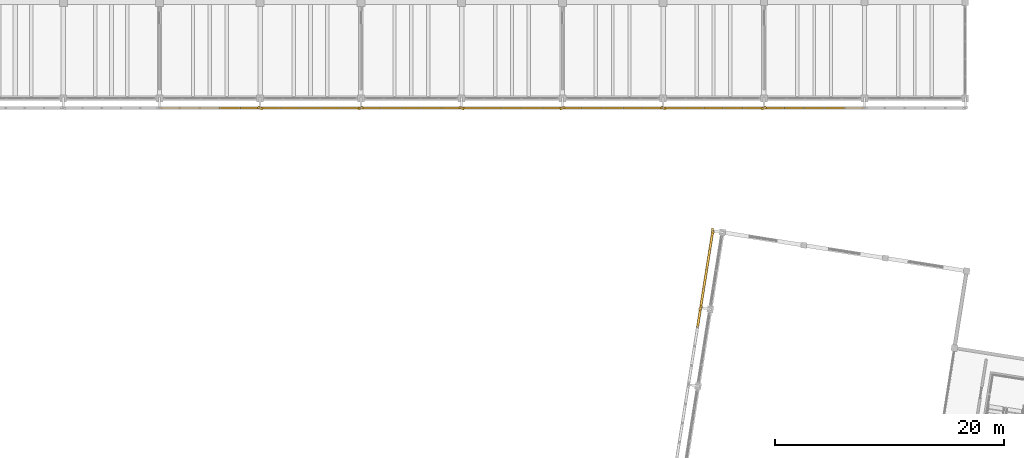
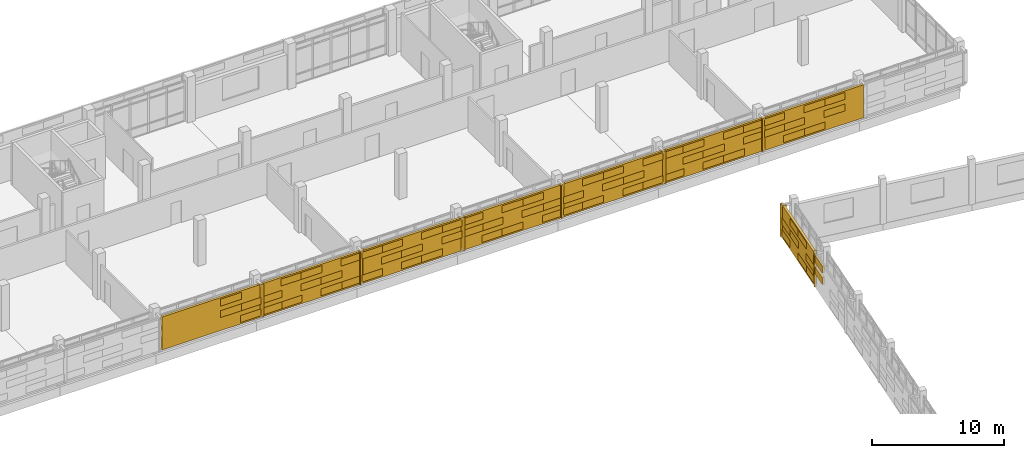
# One storey, part 132 of 137: 80 coverings, 8 shading devices.
"""IFC4 building model written with IfcOpenShell, lengths in metres."""

from ifc_helpers import new_model, si_unit, direction, frame, origin, origin_2d, place, context, subcontext, project, spatial, rectangle, extrude, material, layer, layer_set, type_object, element, save


model = new_model("IFC4")

# Units and contexts
model_context = context("Model", 3, precision=1e-05, world=origin(), true_north=direction((0.0, 1.0)))
body_context = subcontext(model_context, "Body", "Model", "MODEL_VIEW")
ifc_project = project(units=[si_unit("LENGTHUNIT", "METRE"), si_unit("AREAUNIT", "SQUARE_METRE"), si_unit("VOLUMEUNIT", "CUBIC_METRE"), si_unit("PLANEANGLEUNIT", "RADIAN"), si_unit("MASSUNIT", "GRAM", prefix="KILO")], contexts=[model_context])

# Site, building, storey
site_placement = place(None, origin())
site = spatial("IfcSite", under=ifc_project, at=site_placement, CompositionType="ELEMENT")
building_placement = place(site_placement, origin())
building = spatial("IfcBuilding", under=site, at=building_placement, Name="Cinderway Yard Community Centre", CompositionType="ELEMENT")
storey_placement = place(building_placement, frame((0.0, 0.0, 4.800048828125)))
storey = spatial("IfcBuildingStorey", under=building, at=storey_placement, Name="L01", CompositionType="ELEMENT", Elevation=4.800048828125)

# Coverings
ifc_material = material(Name="Brick Masonry", Category="masonry")
ifc_layer = layer(ifc_material, 0.18994140625, Name="Brick Masonry")
ifc_layer_set = layer_set([ifc_layer], Name="Brick Masonry")
covering_type = type_object("IfcCoveringType", Name="ENV-COV-BRK-SCREEN", PredefinedType="CLADDING", material=ifc_layer_set)
for number, where, z_axis, x_axis, name in (
    (1, (84.0, 89.14990234375, 0.64990234375), (0.0, 0.0, 1.0), (-0.913545457643, 0.406736643076, 0.0), "Deconstructivist folded brick fin 0439"),
    (2, (92.800048828125, 89.14990234375, 0.64990234375), (0.0, 0.0, 1.0), (-0.913545457643, -0.406736643076, 0.0), "Deconstructivist folded brick fin 0440"),
    (3, (101.60009765625, 89.14990234375, 0.64990234375), (0.0, 0.0, 1.0), (-0.913545457643, 0.406736643076, 0.0), "Deconstructivist folded brick fin 0441"),
    (4, (110.39990234375, 89.14990234375, 0.64990234375), (0.0, 0.0, 1.0), (-0.913545457643, -0.406736643076, 0.0), "Deconstructivist folded brick fin 0442"),
    (5, (119.199951171875, 89.14990234375, 0.64990234375), (0.0, 0.0, 1.0), (-0.913545457643, 0.406736643076, 0.0), "Deconstructivist folded brick fin 0443"),
    (6, (128.0, 89.14990234375, 0.64990234375), (0.0, 0.0, 1.0), (-0.913545457643, -0.406736643076, 0.0), "Deconstructivist folded brick fin 0444"),
):
    element("IfcCovering", number, at=place(storey_placement, frame(where, z_axis=z_axis, x_axis=x_axis)), inside=storey, type_object=covering_type, Name=name, PredefinedType="CLADDING", context=body_context, shape_type="SweptSolid", body=[
        extrude(rectangle(XDim=0.4599609375, YDim=0.199951171875, at=origin_2d()), origin(), (0.0, 0.0, 1.0), 3.050048828125),
    ])
for number, where, z_axis, x_axis, name in (
    (7, (83.1201171875, 89.14990234375, 0.7900390625), (0.0, 0.0, 1.0), (-1.0, 0.0, 0.0), "Open-bond perforated brick screen course 00489"),
    (8, (81.360107421875, 89.14990234375, 1.85205078125), (0.0, 0.0, 1.0), (-1.0, 0.0, 0.0), "Open-bond perforated brick screen course 00492"),
    (9, (83.1201171875, 89.14990234375, 1.85205078125), (0.0, 0.0, 1.0), (-1.0, 0.0, 0.0), "Open-bond perforated brick screen course 00493"),
    (10, (81.360107421875, 89.14990234375, 2.9140625), (0.0, 0.0, 1.0), (-1.0, 0.0, 0.0), "Open-bond perforated brick screen course 00496"),
    (11, (84.8798828125, 89.14990234375, 0.7900390625), (0.0, 0.0, 1.0), (-1.0, 0.0, 0.0), "Open-bond perforated brick screen course 00497"),
    (12, (86.639892578125, 89.14990234375, 0.7900390625), (0.0, 0.0, 1.0), (-1.0, 0.0, 0.0), "Open-bond perforated brick screen course 00498"),
    (13, (90.159912109375, 89.14990234375, 0.7900390625), (0.0, 0.0, 1.0), (-1.0, 0.0, 0.0), "Open-bond perforated brick screen course 00499"),
    (14, (91.919921875, 89.14990234375, 0.7900390625), (0.0, 0.0, 1.0), (-1.0, 0.0, 0.0), "Open-bond perforated brick screen course 00500"),
    (15, (84.8798828125, 89.14990234375, 1.85205078125), (0.0, 0.0, 1.0), (-1.0, 0.0, 0.0), "Open-bond perforated brick screen course 00501"),
    (16, (88.39990234375, 89.14990234375, 1.85205078125), (0.0, 0.0, 1.0), (-1.0, 0.0, 0.0), "Open-bond perforated brick screen course 00502"),
    (17, (90.159912109375, 89.14990234375, 1.85205078125), (0.0, 0.0, 1.0), (-1.0, 0.0, 0.0), "Open-bond perforated brick screen course 00503"),
    (18, (86.639892578125, 89.14990234375, 2.9140625), (0.0, 0.0, 1.0), (-1.0, 0.0, 0.0), "Open-bond perforated brick screen course 00504"),
    (19, (88.39990234375, 89.14990234375, 2.9140625), (0.0, 0.0, 1.0), (-1.0, 0.0, 0.0), "Open-bond perforated brick screen course 00505"),
    (20, (91.919921875, 89.14990234375, 2.9140625), (0.0, 0.0, 1.0), (-1.0, 0.0, 0.0), "Open-bond perforated brick screen course 00506"),
    (21, (93.679931640625, 89.14990234375, 0.7900390625), (0.0, 0.0, 1.0), (-1.0, 0.0, 0.0), "Open-bond perforated brick screen course 00507"),
    (22, (97.199951171875, 89.14990234375, 0.7900390625), (0.0, 0.0, 1.0), (-1.0, 0.0, 0.0), "Open-bond perforated brick screen course 00508"),
    (23, (98.9599609375, 89.14990234375, 0.7900390625), (0.0, 0.0, 1.0), (-1.0, 0.0, 0.0), "Open-bond perforated brick screen course 00509"),
    (24, (95.43994140625, 89.14990234375, 1.85205078125), (0.0, 0.0, 1.0), (-1.0, 0.0, 0.0), "Open-bond perforated brick screen course 00510"),
    (25, (97.199951171875, 89.14990234375, 1.85205078125), (0.0, 0.0, 1.0), (-1.0, 0.0, 0.0), "Open-bond perforated brick screen course 00511"),
    (26, (100.719970703125, 89.14990234375, 1.85205078125), (0.0, 0.0, 1.0), (-1.0, 0.0, 0.0), "Open-bond perforated brick screen course 00512"),
    (27, (93.679931640625, 89.14990234375, 2.9140625), (0.0, 0.0, 1.0), (-1.0, 0.0, 0.0), "Open-bond perforated brick screen course 00513"),
    (28, (95.43994140625, 89.14990234375, 2.9140625), (0.0, 0.0, 1.0), (-1.0, 0.0, 0.0), "Open-bond perforated brick screen course 00514"),
    (29, (98.9599609375, 89.14990234375, 2.9140625), (0.0, 0.0, 1.0), (-1.0, 0.0, 0.0), "Open-bond perforated brick screen course 00515"),
    (30, (100.719970703125, 89.14990234375, 2.9140625), (0.0, 0.0, 1.0), (-1.0, 0.0, 0.0), "Open-bond perforated brick screen course 00516"),
    (31, (104.239990234375, 89.14990234375, 0.7900390625), (0.0, 0.0, 1.0), (-1.0, 0.0, 0.0), "Open-bond perforated brick screen course 00517"),
    (32, (106.0, 89.14990234375, 0.7900390625), (0.0, 0.0, 1.0), (-1.0, 0.0, 0.0), "Open-bond perforated brick screen course 00518"),
    (33, (109.52001953125, 89.14990234375, 0.7900390625), (0.0, 0.0, 1.0), (-1.0, 0.0, 0.0), "Open-bond perforated brick screen course 00519"),
    (34, (102.47998046875, 89.14990234375, 1.85205078125), (0.0, 0.0, 1.0), (-1.0, 0.0, 0.0), "Open-bond perforated brick screen course 00520"),
    (35, (104.239990234375, 89.14990234375, 1.85205078125), (0.0, 0.0, 1.0), (-1.0, 0.0, 0.0), "Open-bond perforated brick screen course 00521"),
    (36, (107.760009765625, 89.14990234375, 1.85205078125), (0.0, 0.0, 1.0), (-1.0, 0.0, 0.0), "Open-bond perforated brick screen course 00522"),
    (37, (109.52001953125, 89.14990234375, 1.85205078125), (0.0, 0.0, 1.0), (-1.0, 0.0, 0.0), "Open-bond perforated brick screen course 00523"),
    (38, (102.47998046875, 89.14990234375, 2.9140625), (0.0, 0.0, 1.0), (-1.0, 0.0, 0.0), "Open-bond perforated brick screen course 00524"),
    (39, (106.0, 89.14990234375, 2.9140625), (0.0, 0.0, 1.0), (-1.0, 0.0, 0.0), "Open-bond perforated brick screen course 00525"),
    (40, (107.760009765625, 89.14990234375, 2.9140625), (0.0, 0.0, 1.0), (-1.0, 0.0, 0.0), "Open-bond perforated brick screen course 00526"),
    (41, (111.280029296875, 89.14990234375, 0.7900390625), (0.0, 0.0, 1.0), (-1.0, 0.0, 0.0), "Open-bond perforated brick screen course 00527"),
    (42, (113.0400390625, 89.14990234375, 0.7900390625), (0.0, 0.0, 1.0), (-1.0, 0.0, 0.0), "Open-bond perforated brick screen course 00528"),
    (43, (116.56005859375, 89.14990234375, 0.7900390625), (0.0, 0.0, 1.0), (-1.0, 0.0, 0.0), "Open-bond perforated brick screen course 00529"),
    (44, (118.320068359375, 89.14990234375, 0.7900390625), (0.0, 0.0, 1.0), (-1.0, 0.0, 0.0), "Open-bond perforated brick screen course 00530"),
    (45, (111.280029296875, 89.14990234375, 1.85205078125), (0.0, 0.0, 1.0), (-1.0, 0.0, 0.0), "Open-bond perforated brick screen course 00531"),
    (46, (114.800048828125, 89.14990234375, 1.85205078125), (0.0, 0.0, 1.0), (-1.0, 0.0, 0.0), "Open-bond perforated brick screen course 00532"),
    (47, (116.56005859375, 89.14990234375, 1.85205078125), (0.0, 0.0, 1.0), (-1.0, 0.0, 0.0), "Open-bond perforated brick screen course 00533"),
    (48, (113.0400390625, 89.14990234375, 2.9140625), (0.0, 0.0, 1.0), (-1.0, 0.0, 0.0), "Open-bond perforated brick screen course 00534"),
    (49, (114.800048828125, 89.14990234375, 2.9140625), (0.0, 0.0, 1.0), (-1.0, 0.0, 0.0), "Open-bond perforated brick screen course 00535"),
    (50, (118.320068359375, 89.14990234375, 2.9140625), (0.0, 0.0, 1.0), (-1.0, 0.0, 0.0), "Open-bond perforated brick screen course 00536"),
    (51, (120.080078125, 89.14990234375, 0.7900390625), (0.0, 0.0, 1.0), (-1.0, 0.0, 0.0), "Open-bond perforated brick screen course 00537"),
    (52, (123.60009765625, 89.14990234375, 0.7900390625), (0.0, 0.0, 1.0), (-1.0, 0.0, 0.0), "Open-bond perforated brick screen course 00538"),
    (53, (125.360107421875, 89.14990234375, 0.7900390625), (0.0, 0.0, 1.0), (-1.0, 0.0, 0.0), "Open-bond perforated brick screen course 00539"),
    (54, (121.840087890625, 89.14990234375, 1.85205078125), (0.0, 0.0, 1.0), (-1.0, 0.0, 0.0), "Open-bond perforated brick screen course 00540"),
    (55, (123.60009765625, 89.14990234375, 1.85205078125), (0.0, 0.0, 1.0), (-1.0, 0.0, 0.0), "Open-bond perforated brick screen course 00541"),
    (56, (127.1201171875, 89.14990234375, 1.85205078125), (0.0, 0.0, 1.0), (-1.0, 0.0, 0.0), "Open-bond perforated brick screen course 00542"),
    (57, (120.080078125, 89.14990234375, 2.9140625), (0.0, 0.0, 1.0), (-1.0, 0.0, 0.0), "Open-bond perforated brick screen course 00543"),
    (58, (121.840087890625, 89.14990234375, 2.9140625), (0.0, 0.0, 1.0), (-1.0, 0.0, 0.0), "Open-bond perforated brick screen course 00544"),
    (59, (125.360107421875, 89.14990234375, 2.9140625), (0.0, 0.0, 1.0), (-1.0, 0.0, 0.0), "Open-bond perforated brick screen course 00545"),
    (60, (127.1201171875, 89.14990234375, 2.9140625), (0.0, 0.0, 1.0), (-1.0, 0.0, 0.0), "Open-bond perforated brick screen course 00546"),
    (61, (130.639892578125, 89.14990234375, 0.7900390625), (0.0, 0.0, 1.0), (-1.0, 0.0, 0.0), "Open-bond perforated brick screen course 00547"),
    (62, (132.39990234375, 89.14990234375, 0.7900390625), (0.0, 0.0, 1.0), (-1.0, 0.0, 0.0), "Open-bond perforated brick screen course 00548"),
    (63, (128.8798828125, 89.14990234375, 1.85205078125), (0.0, 0.0, 1.0), (-1.0, 0.0, 0.0), "Open-bond perforated brick screen course 00550"),
    (64, (130.639892578125, 89.14990234375, 1.85205078125), (0.0, 0.0, 1.0), (-1.0, 0.0, 0.0), "Open-bond perforated brick screen course 00551"),
    (65, (134.159912109375, 89.14990234375, 1.85205078125), (0.0, 0.0, 1.0), (-1.0, 0.0, 0.0), "Open-bond perforated brick screen course 00552"),
    (66, (128.8798828125, 89.14990234375, 2.9140625), (0.0, 0.0, 1.0), (-1.0, 0.0, 0.0), "Open-bond perforated brick screen course 00554"),
    (67, (132.39990234375, 89.14990234375, 2.9140625), (0.0, 0.0, 1.0), (-1.0, 0.0, 0.0), "Open-bond perforated brick screen course 00555"),
    (68, (134.159912109375, 89.14990234375, 2.9140625), (0.0, 0.0, 1.0), (-1.0, 0.0, 0.0), "Open-bond perforated brick screen course 00556"),
):
    element("IfcCovering", number, at=place(storey_placement, frame(where, z_axis=z_axis, x_axis=x_axis)), inside=storey, type_object=covering_type, Name=name, PredefinedType="CLADDING", context=body_context, shape_type="SweptSolid", body=[
        extrude(rectangle(XDim=1.840087890625, YDim=0.18994140625, at=origin_2d()), origin(), (0.0, 0.0, 1.0), 0.64599609375),
    ])
for number, where, z_axis, x_axis, name in (
    (69, (122.47900390625, 71.714111328125, 0.64990234375), (0.0, 0.0, 1.0), (0.544639035015, 0.838670567945, 0.0), "Deconstructivist folded brick fin 1288"),
    (70, (123.54296875, 78.430908203125, 0.64990234375), (0.0, 0.0, 1.0), (-0.258819045103, 0.965925826289, 0.0), "Deconstructivist folded brick fin 1289"),
):
    element("IfcCovering", number, at=place(storey_placement, frame(where, z_axis=z_axis, x_axis=x_axis)), inside=storey, type_object=covering_type, Name=name, PredefinedType="CLADDING", context=body_context, shape_type="SweptSolid", body=[
        extrude(rectangle(XDim=0.4599609375, YDim=0.199951171875, at=origin_2d()), origin(), (0.0, 0.0, 1.0), 3.050048828125),
    ])
for number, where, z_axis, x_axis, name in (
    (71, (122.345947265625, 70.8740234375, 1.85205078125), (0.0, 0.0, 1.0), (0.15643446504, 0.987688340595, 0.0), "Open-bond perforated brick screen course 01326"),
    (72, (122.345947265625, 70.8740234375, 2.9140625), (0.0, 0.0, 1.0), (0.15643446504, 0.987688340595, 0.0), "Open-bond perforated brick screen course 01329"),
    (73, (122.612060546875, 72.553955078125, 0.7900390625), (0.0, 0.0, 1.0), (0.15643446504, 0.987688340595, 0.0), "Open-bond perforated brick screen course 01330"),
    (74, (122.8779296875, 74.23291015625, 0.7900390625), (0.0, 0.0, 1.0), (0.15643446504, 0.987688340595, 0.0), "Open-bond perforated brick screen course 01331"),
    (75, (123.409912109375, 77.591064453125, 0.7900390625), (0.0, 0.0, 1.0), (0.15643446504, 0.987688340595, 0.0), "Open-bond perforated brick screen course 01332"),
    (76, (122.612060546875, 72.553955078125, 1.85205078125), (0.0, 0.0, 1.0), (0.15643446504, 0.987688340595, 0.0), "Open-bond perforated brick screen course 01333"),
    (77, (123.14404296875, 75.912109375, 1.85205078125), (0.0, 0.0, 1.0), (0.15643446504, 0.987688340595, 0.0), "Open-bond perforated brick screen course 01334"),
    (78, (123.409912109375, 77.591064453125, 1.85205078125), (0.0, 0.0, 1.0), (0.15643446504, 0.987688340595, 0.0), "Open-bond perforated brick screen course 01335"),
    (79, (122.8779296875, 74.23291015625, 2.9140625), (0.0, 0.0, 1.0), (0.15643446504, 0.987688340595, 0.0), "Open-bond perforated brick screen course 01336"),
    (80, (123.14404296875, 75.912109375, 2.9140625), (0.0, 0.0, 1.0), (0.15643446504, 0.987688340595, 0.0), "Open-bond perforated brick screen course 01337"),
):
    element("IfcCovering", number, at=place(storey_placement, frame(where, z_axis=z_axis, x_axis=x_axis)), inside=storey, type_object=covering_type, Name=name, PredefinedType="CLADDING", context=body_context, shape_type="SweptSolid", body=[
        extrude(rectangle(XDim=1.780029296875, YDim=0.18994140625, at=origin_2d()), origin(), (0.0, 0.0, 1.0), 0.64599609375),
    ])

# Shading devices
shading_device_type = type_object("IfcShadingDeviceType", Name="ENV-SHD-BRICKSCREEN-A", PredefinedType="USERDEFINED", material=ifc_material)
for number, where, z_axis, x_axis, name in (
    (81, (79.60009765625, 89.14990234375, 0.64990234375), (0.0, 0.0, 1.0), (-1.0, 0.0, 0.0), "V4 Courtyard Perforated Brick Screen 0357"),
    (82, (88.39990234375, 89.14990234375, 0.64990234375), (0.0, 0.0, 1.0), (-1.0, 0.0, 0.0), "V4 Courtyard Perforated Brick Screen 0365"),
    (83, (97.199951171875, 89.14990234375, 0.64990234375), (0.0, 0.0, 1.0), (-1.0, 0.0, 0.0), "V4 Courtyard Perforated Brick Screen 0373"),
    (84, (106.0, 89.14990234375, 0.64990234375), (0.0, 0.0, 1.0), (-1.0, 0.0, 0.0), "V4 Courtyard Perforated Brick Screen 0381"),
    (85, (114.800048828125, 89.14990234375, 0.64990234375), (0.0, 0.0, 1.0), (-1.0, 0.0, 0.0), "V4 Courtyard Perforated Brick Screen 0389"),
    (86, (123.60009765625, 89.14990234375, 0.64990234375), (0.0, 0.0, 1.0), (-1.0, 0.0, 0.0), "V4 Courtyard Perforated Brick Screen 0397"),
    (87, (132.39990234375, 89.14990234375, 0.64990234375), (0.0, 0.0, 1.0), (-1.0, 0.0, 0.0), "V4 Courtyard Perforated Brick Screen 0405"),
):
    element("IfcShadingDevice", number, at=place(storey_placement, frame(where, z_axis=z_axis, x_axis=x_axis)), inside=storey, type_object=shading_device_type, Name=name, ObjectType="PERFORATED BRICK SCREEN", PredefinedType="USERDEFINED", context=body_context, shape_type="SweptSolid", body=[
        extrude(rectangle(XDim=8.60009765625, YDim=0.18994140625, at=origin_2d()), origin(), (0.0, 0.0, 1.0), 3.050048828125),
    ])
shading_device_placement = place(storey_placement, frame((123.010986328125, 75.072021484375, 0.64990234375), z_axis=(0.0, 0.0, 1.0), x_axis=(0.15643446504, 0.987688340595, 0.0)))
element("IfcShadingDevice", 88, at=shading_device_placement, inside=storey, type_object=shading_device_type, Name="Sports Hall Courtyard Perforated Brick Screen 1010", ObjectType="PERFORATED BRICK SCREEN", PredefinedType="USERDEFINED", context=body_context, shape_type="SweptSolid", body=[
    extrude(rectangle(XDim=6.60107421875, YDim=0.18994140625, at=origin_2d()), origin(), (0.0, 0.0, 1.0), 3.050048828125),
])

save(model, "model.ifc")
